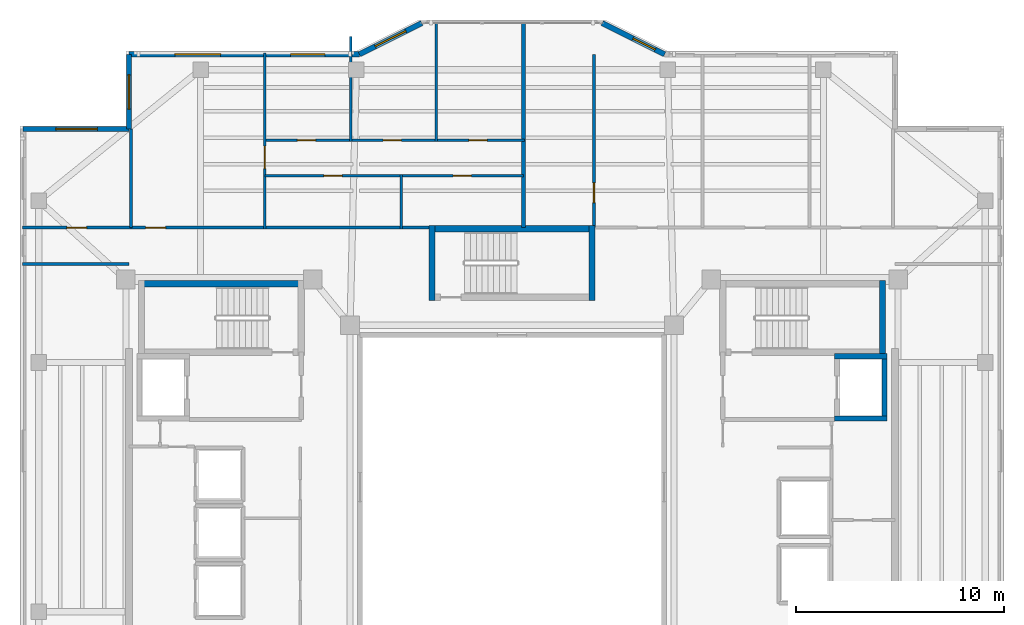
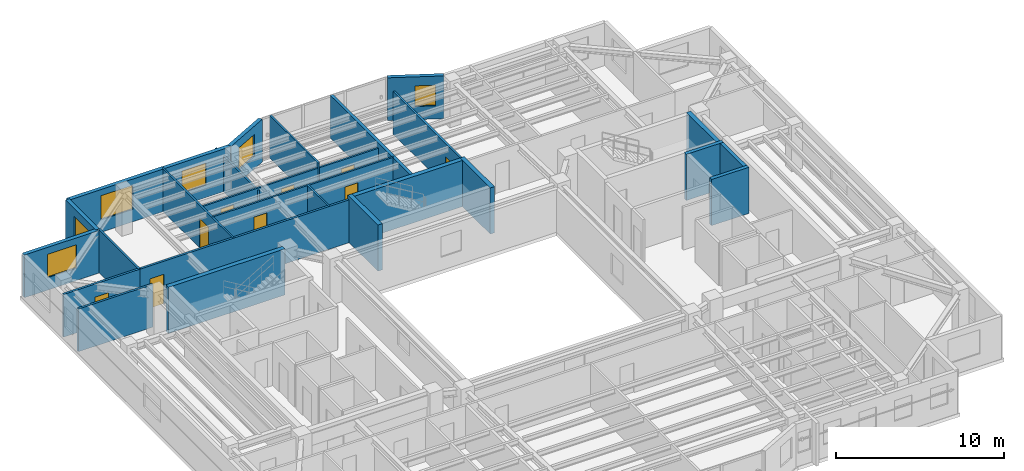
# One storey, part 9 of 13: 26 walls, 9 doors, 6 windows, 15 openings.
"""IFC4 building model written with IfcOpenShell, lengths in metres."""

from ifc_helpers import new_model, si_unit, direction, frame, frame_2d, origin, place, context, subcontext, project, spatial, rectangle, extrude, material, layer, layer_set, type_object, element, fill, save


model = new_model("IFC4")

# Units and contexts
model_context = context("Model", 3, precision=1e-05, world=origin(), true_north=direction((0.0, 1.0)))
body_context = subcontext(model_context, "Body", "Model", "MODEL_VIEW")
ifc_project = project(units=[si_unit("LENGTHUNIT", "METRE"), si_unit("AREAUNIT", "SQUARE_METRE"), si_unit("VOLUMEUNIT", "CUBIC_METRE"), si_unit("PLANEANGLEUNIT", "RADIAN"), si_unit("MASSUNIT", "GRAM", prefix="KILO")], contexts=[model_context])

# Site, building, storey
site_placement = place(None, origin())
site = spatial("IfcSite", under=ifc_project, at=site_placement, CompositionType="ELEMENT")
building_placement = place(site_placement, origin())
building = spatial("IfcBuilding", under=site, at=building_placement, Name="Tarnavaz Court Tower", CompositionType="ELEMENT")
storey_placement = place(building_placement, frame((0.0, 0.0, 193.60009765625)))
storey = spatial("IfcBuildingStorey", under=building, at=storey_placement, Name="L52", CompositionType="ELEMENT", Elevation=193.60009765625)

# Walls
ifc_material_1 = material(Name="Concrete C50/60", Category="concrete")
ifc_layer_1 = layer(ifc_material_1, 0.25)
ifc_layer_set_1 = layer_set([ifc_layer_1], Name="Concrete C50/60")
wall_type_1 = type_object("IfcWallType", Name="WL-CORE-250-C50", PredefinedType="SHEAR", material=ifc_layer_set_1)
wall_1_placement = place(storey_placement, frame((17.949951171875, 3.175048828125, 0.0), z_axis=(0.0, 0.0, 1.0), x_axis=(0.0, 1.0, 0.0)))
element("IfcWall", 1, at=wall_1_placement, inside=storey, type_object=wall_type_1, Name="L52 Lift FL-E1 Shaft Wall 034", PredefinedType="SHEAR", context=body_context, shape_type="SweptSolid", body=[
    extrude(rectangle(XDim=3.25, YDim=0.25, at=frame_2d((1.625, 0.0))), origin(), (0.0, 0.0, 1.0), 3.349853515625),
])
for number, where, z_axis, x_axis, name in (
    (2, (15.52490234375, 3.300048828125, 0.0), (0.0, 0.0, 1.0), (1.0, 0.0, 0.0), "L52 Lift FL-E1 Shaft Wall 035"),
    (3, (15.52490234375, 6.300048828125, 0.0), (0.0, 0.0, 1.0), (1.0, 0.0, 0.0), "L52 Lift FL-E1 Shaft Wall 036"),
):
    element("IfcWall", number, at=place(storey_placement, frame(where, z_axis=z_axis, x_axis=x_axis)), inside=storey, type_object=wall_type_1, Name=name, PredefinedType="SHEAR", context=body_context, shape_type="SweptSolid", body=[
        extrude(rectangle(XDim=2.550048828125, YDim=0.25, at=frame_2d((1.27490234375, 0.0))), origin(), (0.0, 0.0, 1.0), 3.349853515625),
    ])
ifc_layer_2 = layer(ifc_material_1, 0.300048828125)
ifc_layer_set_2 = layer_set([ifc_layer_2], Name="Concrete C50/60")
wall_type_2 = type_object("IfcWallType", Name="WL-CORE-300-C50", PredefinedType="SHEAR", material=ifc_layer_set_2)
wall_2_placement = place(storey_placement, frame((-18.0, 9.7900390625, 0.0), z_axis=(0.0, 0.0, 1.0), x_axis=(1.0, 0.0, 0.0)))
element("IfcWall", 4, at=wall_2_placement, inside=storey, type_object=wall_type_2, Name="L52 West Stair Core Wall 001", PredefinedType="SHEAR", context=body_context, shape_type="SweptSolid", body=[
    extrude(rectangle(XDim=8.0, YDim=0.300048828125, at=frame_2d((4.0, 0.0))), origin(), (0.0, 0.0, 1.0), 3.349853515625),
])
wall_3_placement = place(storey_placement, frame((17.85009765625, 6.35009765625, 0.0), z_axis=(0.0, 0.0, 1.0), x_axis=(0.0, 1.0, 0.0)))
element("IfcWall", 5, at=wall_3_placement, inside=storey, type_object=wall_type_2, Name="L52 East Stair Core Wall 008", PredefinedType="SHEAR", context=body_context, shape_type="SweptSolid", body=[
    extrude(rectangle(XDim=3.58984375, YDim=0.300048828125, at=frame_2d((1.794921875, 0.0))), origin(), (0.0, 0.0, 1.0), 3.349853515625),
])
wall_4_placement = place(storey_placement, frame((-4.0, 12.43994140625, 0.0), z_axis=(0.0, 0.0, 1.0), x_axis=(1.0, 0.0, 0.0)))
element("IfcWall", 6, at=wall_4_placement, inside=storey, type_object=wall_type_2, Name="L52 North Stair Core Wall 009", PredefinedType="SHEAR", context=body_context, shape_type="SweptSolid", body=[
    extrude(rectangle(XDim=8.0, YDim=0.300048828125, at=frame_2d((4.0, 0.0))), origin(), (0.0, 0.0, 1.0), 3.349853515625),
])
for number, where, z_axis, x_axis, name in (
    (7, (-3.85009765625, 9.0, 0.0), (0.0, 0.0, 1.0), (0.0, 1.0, 0.0), "L52 North Stair Core Wall 011"),
    (8, (3.85009765625, 9.0, 0.0), (0.0, 0.0, 1.0), (0.0, 1.0, 0.0), "L52 North Stair Core Wall 012"),
):
    element("IfcWall", number, at=place(storey_placement, frame(where, z_axis=z_axis, x_axis=x_axis)), inside=storey, type_object=wall_type_2, Name=name, PredefinedType="SHEAR", context=body_context, shape_type="SweptSolid", body=[
        extrude(rectangle(XDim=3.590087890625, YDim=0.300048828125, at=frame_2d((1.794921875, 0.0))), origin(), (0.0, 0.0, 1.0), 3.349853515625),
    ])

# Wall, opening, window
ifc_material_2 = material(Name="Precast Concrete C40/50", Category="concrete")
ifc_layer_3 = layer(ifc_material_2, 0.260009765625)
ifc_layer_set_3 = layer_set([ifc_layer_3], Name="Precast Concrete C40/50")
wall_type_3 = type_object("IfcWallType", Name="WL-EXT-260", PredefinedType="SOLIDWALL", material=ifc_layer_set_3)
wall_5_placement = place(storey_placement, frame((-23.550048828125, 17.25, 0.0), z_axis=(0.0, 0.0, 1.0), x_axis=(1.0, 0.0, 0.0)))
wall_5 = element("IfcWall", 9, at=wall_5_placement, inside=storey, type_object=wall_type_3, Name="L52 Exterior Terracotta Facade Wall 03", PredefinedType="SOLIDWALL", context=body_context, shape_type="SweptSolid", body=[
    extrude(rectangle(XDim=5.10009765625, YDim=0.260009765625, at=frame_2d((2.550048828125, 0.0))), origin(), (0.0, 0.0, 1.0), 3.099853515625),
])
opening_1_placement = place(wall_5_placement, frame((1.574951171875, 0.0, 0.89990234375)))
opening_1 = element("IfcOpeningElement", 10, at=opening_1_placement, cuts=wall_5, Name="Opening W08", PredefinedType="OPENING", context=body_context, shape_type="SweptSolid", body=[
    extrude(rectangle(XDim=2.0, YDim=1.699951171875, at=frame_2d((1.0, 0.85009765625))), frame((0.0, 0.139892578125, 0.0), z_axis=(0.0, -1.0, 0.0), x_axis=(1.0, 0.0, 0.0)), (0.0, 0.0, 1.0), 0.280029296875),
])
ifc_material_3 = material(Name="Double-Glazed Solar Low-E Glass", Category="glass")
window_type_1 = type_object("IfcWindowType", Name="WN-APT-2000", PartitioningType="DOUBLE_PANEL_VERTICAL", PredefinedType="WINDOW", material=ifc_material_3)
window_1_placement = place(opening_1_placement, origin())
window_1 = element("IfcWindow", 11, at=window_1_placement, inside=storey, type_object=window_type_1, Name="L52 North-West Corner Sunroom Study Window", OverallHeight=1.699951171875, OverallWidth=2.0, PartitioningType="SINGLE_PANEL", PredefinedType="WINDOW", context=body_context, shape_type="SweptSolid", body=[
    extrude(rectangle(XDim=2.0, YDim=1.699951171875, at=frame_2d((1.0, 0.85009765625))), frame((0.0, 0.030029296875, 0.0), z_axis=(0.0, -1.0, 0.0), x_axis=(1.0, 0.0, 0.0)), (0.0, 0.0, 1.0), 0.06005859375),
])
fill(opening_1, window_1)

wall_6_placement = place(storey_placement, frame((-18.449951171875, 17.25, 0.0), z_axis=(0.0, 0.0, 1.0), x_axis=(0.0, 1.0, 0.0)))
wall_6 = element("IfcWall", 12, at=wall_6_placement, inside=storey, type_object=wall_type_3, Name="L52 Exterior Terracotta Facade Wall 04", PredefinedType="SOLIDWALL", context=body_context, shape_type="SweptSolid", body=[
    extrude(rectangle(XDim=3.60009765625, YDim=0.260009765625, at=frame_2d((1.800048828125, 0.0))), origin(), (0.0, 0.0, 1.0), 3.099853515625),
])
opening_2_placement = place(wall_6_placement, frame((0.95751953125, 0.0, 0.89990234375)))
opening_2 = element("IfcOpeningElement", 13, at=opening_2_placement, cuts=wall_6, Name="Opening W02", PredefinedType="OPENING", context=body_context, shape_type="SweptSolid", body=[
    extrude(rectangle(XDim=1.64990234375, YDim=1.60009765625, at=frame_2d((0.824951171875, 0.800048828125))), frame((0.0, 0.139892578125, 0.0), z_axis=(0.0, -1.0, 0.0), x_axis=(1.0, 0.0, 0.0)), (0.0, 0.0, 1.0), 0.280029296875),
])
window_type_2 = type_object("IfcWindowType", Name="WN-APT-1650", PartitioningType="DOUBLE_PANEL_VERTICAL", PredefinedType="WINDOW", material=ifc_material_3)
window_2_placement = place(opening_2_placement, origin())
window_2 = element("IfcWindow", 14, at=window_2_placement, inside=storey, type_object=window_type_2, Name="L52 Flat 01 Living and Dining Room Window", OverallHeight=1.60009765625, OverallWidth=1.64990234375, PartitioningType="SINGLE_PANEL", PredefinedType="WINDOW", context=body_context, shape_type="SweptSolid", body=[
    extrude(rectangle(XDim=1.64990234375, YDim=1.60009765625, at=frame_2d((0.824951171875, 0.800048828125))), frame((0.0, 0.030029296875, 0.0), z_axis=(0.0, -1.0, 0.0), x_axis=(1.0, 0.0, 0.0)), (0.0, 0.0, 1.0), 0.06005859375),
])
fill(opening_2, window_2)

# Wall, openings, windows
wall_7_placement = place(storey_placement, frame((-18.449951171875, 20.85009765625, 0.0), z_axis=(0.0, 0.0, 1.0), x_axis=(1.0, 0.0, 0.0)))
wall_7 = element("IfcWall", 15, at=wall_7_placement, inside=storey, type_object=wall_type_3, Name="L52 Exterior Terracotta Facade Wall 05", PredefinedType="SOLIDWALL", context=body_context, shape_type="SweptSolid", body=[
    extrude(rectangle(XDim=11.099853515625, YDim=0.260009765625, at=frame_2d((5.5498046875, 0.0))), origin(), (0.0, 0.0, 1.0), 3.099853515625),
])
opening_3_placement = place(wall_7_placement, frame((2.21484375, 0.0, 0.89990234375)))
opening_3 = element("IfcOpeningElement", 16, at=opening_3_placement, cuts=wall_7, Name="Opening W07", PredefinedType="OPENING", context=body_context, shape_type="SweptSolid", body=[
    extrude(rectangle(XDim=2.199951171875, YDim=1.75, at=frame_2d((1.10009765625, 0.875))), frame((0.0, 0.139892578125, 0.0), z_axis=(0.0, -1.0, 0.0), x_axis=(1.0, 0.0, 0.0)), (0.0, 0.0, 1.0), 0.280029296875),
])
opening_4_placement = place(wall_7_placement, frame((7.788818359375, 0.0, 0.89990234375)))
opening_4 = element("IfcOpeningElement", 17, at=opening_4_placement, cuts=wall_7, Name="Opening W02", PredefinedType="OPENING", context=body_context, shape_type="SweptSolid", body=[
    extrude(rectangle(XDim=1.64990234375, YDim=1.60009765625, at=frame_2d((0.824951171875, 0.800048828125))), frame((0.0, 0.139892578125, 0.0), z_axis=(0.0, -1.0, 0.0), x_axis=(1.0, 0.0, 0.0)), (0.0, 0.0, 1.0), 0.280029296875),
])
window_3_placement = place(opening_4_placement, origin())
window_3 = element("IfcWindow", 18, at=window_3_placement, inside=storey, type_object=window_type_2, Name="L52 Flat 01 Principal Bedroom Window", OverallHeight=1.60009765625, OverallWidth=1.64990234375, PartitioningType="SINGLE_PANEL", PredefinedType="WINDOW", context=body_context, shape_type="SweptSolid", body=[
    extrude(rectangle(XDim=1.64990234375, YDim=1.60009765625, at=frame_2d((0.824951171875, 0.800048828125))), frame((0.0, 0.030029296875, 0.0), z_axis=(0.0, -1.0, 0.0), x_axis=(1.0, 0.0, 0.0)), (0.0, 0.0, 1.0), 0.06005859375),
])
fill(opening_4, window_3)
window_type_3 = type_object("IfcWindowType", Name="WN-APT-2200", PartitioningType="TRIPLE_PANEL_VERTICAL", PredefinedType="WINDOW", material=ifc_material_3)
window_4_placement = place(opening_3_placement, origin())
window_4 = element("IfcWindow", 19, at=window_4_placement, inside=storey, type_object=window_type_3, Name="L52 Flat 01 Living and Dining Room Window", OverallHeight=1.75, OverallWidth=2.199951171875, PartitioningType="SINGLE_PANEL", PredefinedType="WINDOW", context=body_context, shape_type="SweptSolid", body=[
    extrude(rectangle(XDim=2.199951171875, YDim=1.75, at=frame_2d((1.10009765625, 0.875))), frame((0.0, 0.030029296875, 0.0), z_axis=(0.0, -1.0, 0.0), x_axis=(1.0, 0.0, 0.0)), (0.0, 0.0, 1.0), 0.06005859375),
])
fill(opening_3, window_4)

# Wall, opening, window
wall_8_placement = place(storey_placement, frame((-7.35009765625, 20.85009765625, 0.0), z_axis=(0.0, 0.0, 1.0), x_axis=(0.894427191, 0.4472135955, 0.0)))
wall_8 = element("IfcWall", 20, at=wall_8_placement, inside=storey, type_object=wall_type_3, Name="L52 Exterior Terracotta Facade Wall 06", PredefinedType="SOLIDWALL", context=body_context, shape_type="SweptSolid", body=[
    extrude(rectangle(XDim=3.35400390625, YDim=0.260009765625, at=frame_2d((1.677001953125, 0.0))), origin(), (0.0, 0.0, 1.0), 3.099853515625),
])
opening_5_placement = place(wall_8_placement, frame((0.85205078125, 0.0, 0.89990234375)))
opening_5 = element("IfcOpeningElement", 21, at=opening_5_placement, cuts=wall_8, Name="Opening W02", PredefinedType="OPENING", context=body_context, shape_type="SweptSolid", body=[
    extrude(rectangle(XDim=1.64990234375, YDim=1.60009765625, at=frame_2d((0.824951171875, 0.800048828125))), frame((0.0, 0.139892578125, 0.0), z_axis=(0.0, -1.0, 0.0), x_axis=(1.0, 0.0, 0.0)), (0.0, 0.0, 1.0), 0.280029296875),
])
window_5_placement = place(opening_5_placement, origin())
window_5 = element("IfcWindow", 22, at=window_5_placement, inside=storey, type_object=window_type_2, Name="L52 Flat 01 Bedroom 2 Window", OverallHeight=1.60009765625, OverallWidth=1.64990234375, PartitioningType="SINGLE_PANEL", PredefinedType="WINDOW", context=body_context, shape_type="SweptSolid", body=[
    extrude(rectangle(XDim=1.64990234375, YDim=1.60009765625, at=frame_2d((0.824951171875, 0.800048828125))), frame((0.0, 0.030029296875, 0.0), z_axis=(0.0, -1.0, 0.0), x_axis=(1.0, 0.0, 0.0)), (0.0, 0.0, 1.0), 0.06005859375),
])
fill(opening_5, window_5)

wall_9_placement = place(storey_placement, frame((4.35009765625, 22.35009765625, 0.0), z_axis=(0.0, 0.0, 1.0), x_axis=(0.894427191, -0.4472135955, 0.0)))
wall_9 = element("IfcWall", 23, at=wall_9_placement, inside=storey, type_object=wall_type_3, Name="L52 Exterior Terracotta Facade Wall 08", PredefinedType="SOLIDWALL", context=body_context, shape_type="SweptSolid", body=[
    extrude(rectangle(XDim=3.35400390625, YDim=0.260009765625, at=frame_2d((1.677001953125, 0.0))), origin(), (0.0, 0.0, 1.0), 3.099853515625),
])
opening_6_placement = place(wall_9_placement, frame((1.65283203125, 0.0, 0.949951171875)))
opening_6 = element("IfcOpeningElement", 24, at=opening_6_placement, cuts=wall_9, Name="Opening W05", PredefinedType="OPENING", context=body_context, shape_type="SweptSolid", body=[
    extrude(rectangle(XDim=1.199951171875, YDim=1.5, at=frame_2d((0.60009765625, 0.75))), frame((0.0, 0.139892578125, 0.0), z_axis=(0.0, -1.0, 0.0), x_axis=(1.0, 0.0, 0.0)), (0.0, 0.0, 1.0), 0.280029296875),
])
window_type_4 = type_object("IfcWindowType", Name="WN-APT-1200", PartitioningType="SINGLE_PANEL", PredefinedType="WINDOW", material=ifc_material_3)
window_6_placement = place(opening_6_placement, origin())
window_6 = element("IfcWindow", 25, at=window_6_placement, inside=storey, type_object=window_type_4, Name="L52 Resident Fitness and Yoga Studio Window", OverallHeight=1.5, OverallWidth=1.199951171875, PartitioningType="SINGLE_PANEL", PredefinedType="WINDOW", context=body_context, shape_type="SweptSolid", body=[
    extrude(rectangle(XDim=1.199951171875, YDim=1.5, at=frame_2d((0.60009765625, 0.75))), frame((0.0, 0.030029296875, 0.0), z_axis=(0.0, -1.0, 0.0), x_axis=(1.0, 0.0, 0.0)), (0.0, 0.0, 1.0), 0.06005859375),
])
fill(opening_6, window_6)

# Wall, opening, door
ifc_material_4 = material(Name="Gypsum Fire-Board on Acoustic Metal Stud", Category="masonry")
ifc_layer_4 = layer(ifc_material_4, 0.14990234375)
ifc_layer_set_4 = layer_set([ifc_layer_4], Name="Gypsum Fire-Board on Acoustic Metal Stud")
wall_type_4 = type_object("IfcWallType", Name="WL-FIRE-150", PredefinedType="PARTITIONING", material=ifc_layer_set_4)
wall_10_placement = place(storey_placement, frame((-18.35009765625, 12.5, 0.0), z_axis=(0.0, 0.0, 1.0), x_axis=(1.0, 0.0, 0.0)))
wall_10 = element("IfcWall", 26, at=wall_10_placement, inside=storey, type_object=wall_type_4, Name="L52 NW Wing Corridor Wall 057", PredefinedType="PARTITIONING", context=body_context, shape_type="SweptSolid", body=[
    extrude(rectangle(XDim=14.5, YDim=0.14990234375, at=frame_2d((7.25, 0.0))), origin(), (0.0, 0.0, 1.0), 3.099853515625),
])
opening_7_placement = place(wall_10_placement, frame((0.699951171875, 0.0, 0.0)))
opening_7 = element("IfcOpeningElement", 27, at=opening_7_placement, cuts=wall_10, Name="Opening D06", PredefinedType="OPENING", context=body_context, shape_type="SweptSolid", body=[
    extrude(rectangle(XDim=0.9599609375, YDim=2.14990234375, at=frame_2d((0.47998046875, 1.074951171875))), frame((0.0, 0.0849609375, 0.0), z_axis=(0.0, -1.0, 0.0), x_axis=(1.0, 0.0, 0.0)), (0.0, 0.0, 1.0), 0.169921875),
])
ifc_material_5 = material(Name="Fire-Rated Hardwood Timber Core", Category="wood")
door_type_1 = type_object("IfcDoorType", Name="DR-FD60-950", OperationType="NOTDEFINED", PredefinedType="DOOR", material=ifc_material_5)
door_1_placement = place(opening_7_placement, origin())
door_1 = element("IfcDoor", 28, at=door_1_placement, inside=storey, type_object=door_type_1, Name="L52 Flat 01 Entrance Door", OperationType="SINGLE_SWING_LEFT", OverallHeight=2.14990234375, OverallWidth=0.9599609375, PredefinedType="DOOR", context=body_context, shape_type="SweptSolid", body=[
    extrude(rectangle(XDim=0.9599609375, YDim=2.14990234375, at=frame_2d((0.47998046875, 1.074951171875))), frame((0.0, 0.02490234375, 0.0), z_axis=(0.0, -1.0, 0.0), x_axis=(1.0, 0.0, 0.0)), (0.0, 0.0, 1.0), 0.050048828125),
])
fill(opening_7, door_1)

# Wall
wall_11_placement = place(storey_placement, frame((-23.580078125, 10.75, 0.0), z_axis=(0.0, 0.0, 1.0), x_axis=(1.0, 0.0, 0.0)))
element("IfcWall", 29, at=wall_11_placement, inside=storey, type_object=wall_type_4, Name="L52 Interior Partition 086", PredefinedType="PARTITIONING", context=body_context, shape_type="SweptSolid", body=[
    extrude(rectangle(XDim=5.130126953125, YDim=0.14990234375, at=frame_2d((2.56494140625, 0.0))), origin(), (0.0, 0.0, 1.0), 3.099853515625),
])

# Wall, opening, door
wall_12_placement = place(storey_placement, frame((-23.580078125, 12.5, 0.0), z_axis=(0.0, 0.0, 1.0), x_axis=(1.0, 0.0, 0.0)))
wall_12 = element("IfcWall", 30, at=wall_12_placement, inside=storey, type_object=wall_type_4, Name="L52 Interior Partition 093", PredefinedType="PARTITIONING", context=body_context, shape_type="SweptSolid", body=[
    extrude(rectangle(XDim=5.22998046875, YDim=0.14990234375, at=frame_2d((2.614990234375, 0.0))), origin(), (0.0, 0.0, 1.0), 3.099853515625),
])
opening_8_placement = place(wall_12_placement, frame((2.139892578125, 0.0, 0.0)))
opening_8 = element("IfcOpeningElement", 31, at=opening_8_placement, cuts=wall_12, Name="Opening D13", PredefinedType="OPENING", context=body_context, shape_type="SweptSolid", body=[
    extrude(rectangle(XDim=0.949951171875, YDim=2.14990234375, at=frame_2d((0.47509765625, 1.074951171875))), frame((0.0, 0.0849609375, 0.0), z_axis=(0.0, -1.0, 0.0), x_axis=(1.0, 0.0, 0.0)), (0.0, 0.0, 1.0), 0.169921875),
])
ifc_material_6 = material(Name="Engineered Oak Timber", Category="wood")
door_type_2 = type_object("IfcDoorType", Name="DR-INT-950", OperationType="NOTDEFINED", PredefinedType="DOOR", material=ifc_material_6)
door_2_placement = place(opening_8_placement, origin())
door_2 = element("IfcDoor", 32, at=door_2_placement, inside=storey, type_object=door_type_2, Name="L52 NW Sunroom Door", OperationType="SINGLE_SWING_LEFT", OverallHeight=2.14990234375, OverallWidth=0.949951171875, PredefinedType="DOOR", context=body_context, shape_type="SweptSolid", body=[
    extrude(rectangle(XDim=0.949951171875, YDim=2.14990234375, at=frame_2d((0.47509765625, 1.074951171875))), frame((0.0, 0.02490234375, 0.0), z_axis=(0.0, -1.0, 0.0), x_axis=(1.0, 0.0, 0.0)), (0.0, 0.0, 1.0), 0.050048828125),
])
fill(opening_8, door_2)

# Wall
ifc_material_7 = material(Name="Autoclaved Aerated Concrete Blockwork", Category="masonry")
ifc_layer_5 = layer(ifc_material_7, 0.199951171875)
ifc_layer_set_5 = layer_set([ifc_layer_5], Name="Autoclaved Aerated Concrete Blockwork")
wall_type_5 = type_object("IfcWallType", Name="WL-FIRE-200", PredefinedType="SOLIDWALL", material=ifc_layer_set_5)
wall_13_placement = place(storey_placement, frame((0.550048828125, 12.5, 0.0), z_axis=(0.0, 0.0, 1.0), x_axis=(0.0, 1.0, 0.0)))
element("IfcWall", 33, at=wall_13_placement, inside=storey, type_object=wall_type_5, Name="L52 North Center Party Wall 061", PredefinedType="SOLIDWALL", context=body_context, shape_type="SweptSolid", body=[
    extrude(rectangle(XDim=9.8798828125, YDim=0.199951171875, at=frame_2d((4.93994140625, 0.0))), origin(), (0.0, 0.0, 1.0), 3.099853515625),
])

# Wall, opening, door
ifc_material_8 = material(Name="Moisture-Resistant Gypsum Board Partition", Category="masonry")
ifc_layer_6 = layer(ifc_material_8, 0.1201171875)
ifc_layer_set_6 = layer_set([ifc_layer_6], Name="Moisture-Resistant Gypsum Board Partition")
wall_type_6 = type_object("IfcWallType", Name="WL-PART-120", PredefinedType="PARTITIONING", material=ifc_layer_set_6)
wall_14_placement = place(storey_placement, frame((-11.905029296875, 12.43994140625, 0.0), z_axis=(0.0, 0.0, 1.0), x_axis=(0.0, 1.0, 0.0)))
wall_14 = element("IfcWall", 34, at=wall_14_placement, inside=storey, type_object=wall_type_6, Name="L52 Interior Partition 062", PredefinedType="PARTITIONING", context=body_context, shape_type="SweptSolid", body=[
    extrude(rectangle(XDim=8.4599609375, YDim=0.1201171875, at=frame_2d((4.22998046875, 0.0))), origin(), (0.0, 0.0, 1.0), 3.099853515625),
])
opening_9_placement = place(wall_14_placement, frame((2.905029296875, 0.0, 0.0)))
opening_9 = element("IfcOpeningElement", 35, at=opening_9_placement, cuts=wall_14, Name="Opening D12", PredefinedType="OPENING", context=body_context, shape_type="SweptSolid", body=[
    extrude(rectangle(XDim=1.080078125, YDim=2.14990234375, at=frame_2d((0.5400390625, 1.074951171875))), frame((0.0, 0.070068359375, 0.0), z_axis=(0.0, -1.0, 0.0), x_axis=(1.0, 0.0, 0.0)), (0.0, 0.0, 1.0), 0.14013671875),
])
door_type_3 = type_object("IfcDoorType", Name="DR-INT-1100", OperationType="NOTDEFINED", PredefinedType="DOOR", material=ifc_material_6)
door_3_placement = place(opening_9_placement, origin())
door_3 = element("IfcDoor", 36, at=door_3_placement, inside=storey, type_object=door_type_3, Name="L52 Flat 01 Foyer Door", OperationType="SINGLE_SWING_RIGHT", OverallHeight=2.14990234375, OverallWidth=1.080078125, PredefinedType="DOOR", context=body_context, shape_type="SweptSolid", body=[
    extrude(rectangle(XDim=1.080078125, YDim=2.14990234375, at=frame_2d((0.5400390625, 1.074951171875))), frame((0.0, 0.02490234375, 0.0), z_axis=(0.0, -1.0, 0.0), x_axis=(1.0, 0.0, 0.0)), (0.0, 0.0, 1.0), 0.050048828125),
])
fill(opening_9, door_3)

wall_15_placement = place(storey_placement, frame((-11.905029296875, 15.0, 0.0), z_axis=(0.0, 0.0, 1.0), x_axis=(1.0, 0.0, 0.0)))
wall_15 = element("IfcWall", 37, at=wall_15_placement, inside=storey, type_object=wall_type_6, Name="L52 Interior Partition 063", PredefinedType="PARTITIONING", context=body_context, shape_type="SweptSolid", body=[
    extrude(rectangle(XDim=6.569091796875, YDim=0.1201171875, at=frame_2d((3.28466796875, 0.0))), origin(), (0.0, 0.0, 1.0), 3.099853515625),
])
opening_10_placement = place(wall_15_placement, frame((2.843994140625, 0.0, 0.0)))
opening_10 = element("IfcOpeningElement", 38, at=opening_10_placement, cuts=wall_15, Name="Opening D14", PredefinedType="OPENING", context=body_context, shape_type="SweptSolid", body=[
    extrude(rectangle(XDim=0.8798828125, YDim=2.10009765625, at=frame_2d((0.43994140625, 1.050048828125))), frame((0.0, 0.070068359375, 0.0), z_axis=(0.0, -1.0, 0.0), x_axis=(1.0, 0.0, 0.0)), (0.0, 0.0, 1.0), 0.14013671875),
])
door_type_4 = type_object("IfcDoorType", Name="DR-INT-900", OperationType="NOTDEFINED", PredefinedType="DOOR", material=ifc_material_6)
door_4_placement = place(opening_10_placement, origin())
door_4 = element("IfcDoor", 39, at=door_4_placement, inside=storey, type_object=door_type_4, Name="L52 Flat 01 Kitchen Door", OperationType="SINGLE_SWING_LEFT", OverallHeight=2.10009765625, OverallWidth=0.8798828125, PredefinedType="DOOR", context=body_context, shape_type="SweptSolid", body=[
    extrude(rectangle(XDim=0.8798828125, YDim=2.10009765625, at=frame_2d((0.43994140625, 1.050048828125))), frame((0.0, 0.02490234375, 0.0), z_axis=(0.0, -1.0, 0.0), x_axis=(1.0, 0.0, 0.0)), (0.0, 0.0, 1.0), 0.050048828125),
])
fill(opening_10, door_4)

wall_16_placement = place(storey_placement, frame((-5.3359375, 15.0, 0.0), z_axis=(0.0, 0.0, 1.0), x_axis=(1.0, 0.0, 0.0)))
wall_16 = element("IfcWall", 40, at=wall_16_placement, inside=storey, type_object=wall_type_6, Name="L52 Interior Partition 064", PredefinedType="PARTITIONING", context=body_context, shape_type="SweptSolid", body=[
    extrude(rectangle(XDim=5.885986328125, YDim=0.1201171875, at=frame_2d((2.94287109375, 0.0))), origin(), (0.0, 0.0, 1.0), 3.099853515625),
])
opening_11_placement = place(wall_16_placement, frame((2.5029296875, 0.0, 0.0)))
opening_11 = element("IfcOpeningElement", 41, at=opening_11_placement, cuts=wall_16, Name="Opening D14", PredefinedType="OPENING", context=body_context, shape_type="SweptSolid", body=[
    extrude(rectangle(XDim=0.8798828125, YDim=2.10009765625, at=frame_2d((0.43994140625, 1.050048828125))), frame((0.0, 0.070068359375, 0.0), z_axis=(0.0, -1.0, 0.0), x_axis=(1.0, 0.0, 0.0)), (0.0, 0.0, 1.0), 0.14013671875),
])
door_5_placement = place(opening_11_placement, origin())
door_5 = element("IfcDoor", 42, at=door_5_placement, inside=storey, type_object=door_type_4, Name="L52 Flat 01 Bathroom Door", OperationType="SINGLE_SWING_RIGHT", OverallHeight=2.10009765625, OverallWidth=0.8798828125, PredefinedType="DOOR", context=body_context, shape_type="SweptSolid", body=[
    extrude(rectangle(XDim=0.8798828125, YDim=2.10009765625, at=frame_2d((0.43994140625, 1.050048828125))), frame((0.0, 0.02490234375, 0.0), z_axis=(0.0, -1.0, 0.0), x_axis=(1.0, 0.0, 0.0)), (0.0, 0.0, 1.0), 0.050048828125),
])
fill(opening_11, door_5)

# Wall, openings, doors
wall_17_placement = place(storey_placement, frame((-11.965087890625, 16.7099609375, 0.0), z_axis=(0.0, 0.0, 1.0), x_axis=(1.0, 0.0, 0.0)))
wall_17 = element("IfcWall", 43, at=wall_17_placement, inside=storey, type_object=wall_type_6, Name="L52 Interior Partition 065", PredefinedType="PARTITIONING", context=body_context, shape_type="SweptSolid", body=[
    extrude(rectangle(XDim=12.5751953125, YDim=0.1201171875, at=frame_2d((6.28759765625, 0.0))), origin(), (0.0, 0.0, 1.0), 2.724853515625),
])
opening_12_placement = place(wall_17_placement, frame((1.6259765625, 0.0, 0.0)))
opening_12 = element("IfcOpeningElement", 44, at=opening_12_placement, cuts=wall_17, Name="Opening D14", PredefinedType="OPENING", context=body_context, shape_type="SweptSolid", body=[
    extrude(rectangle(XDim=0.8798828125, YDim=2.10009765625, at=frame_2d((0.43994140625, 1.050048828125))), frame((0.0, 0.070068359375, 0.0), z_axis=(0.0, -1.0, 0.0), x_axis=(1.0, 0.0, 0.0)), (0.0, 0.0, 1.0), 0.14013671875),
])
opening_13_placement = place(wall_17_placement, frame((5.758056640625, 0.0, 0.0)))
opening_13 = element("IfcOpeningElement", 45, at=opening_13_placement, cuts=wall_17, Name="Opening D14", PredefinedType="OPENING", context=body_context, shape_type="SweptSolid", body=[
    extrude(rectangle(XDim=0.8798828125, YDim=2.10009765625, at=frame_2d((0.43994140625, 1.050048828125))), frame((0.0, 0.070068359375, 0.0), z_axis=(0.0, -1.0, 0.0), x_axis=(1.0, 0.0, 0.0)), (0.0, 0.0, 1.0), 0.14013671875),
])
opening_14_placement = place(wall_17_placement, frame((9.888916015625, 0.0, 0.0)))
opening_14 = element("IfcOpeningElement", 46, at=opening_14_placement, cuts=wall_17, Name="Opening D14", PredefinedType="OPENING", context=body_context, shape_type="SweptSolid", body=[
    extrude(rectangle(XDim=0.8798828125, YDim=2.10009765625, at=frame_2d((0.43994140625, 1.050048828125))), frame((0.0, 0.070068359375, 0.0), z_axis=(0.0, -1.0, 0.0), x_axis=(1.0, 0.0, 0.0)), (0.0, 0.0, 1.0), 0.14013671875),
])
door_6_placement = place(opening_12_placement, origin())
door_6 = element("IfcDoor", 47, at=door_6_placement, inside=storey, type_object=door_type_4, Name="L52 Flat 01 Bedroom 1 Door", OperationType="SINGLE_SWING_LEFT", OverallHeight=2.10009765625, OverallWidth=0.8798828125, PredefinedType="DOOR", context=body_context, shape_type="SweptSolid", body=[
    extrude(rectangle(XDim=0.8798828125, YDim=2.10009765625, at=frame_2d((0.43994140625, 1.050048828125))), frame((0.0, 0.02490234375, 0.0), z_axis=(0.0, -1.0, 0.0), x_axis=(1.0, 0.0, 0.0)), (0.0, 0.0, 1.0), 0.050048828125),
])
fill(opening_12, door_6)
door_7_placement = place(opening_13_placement, origin())
door_7 = element("IfcDoor", 48, at=door_7_placement, inside=storey, type_object=door_type_4, Name="L52 Flat 01 Bedroom 2 Door", OperationType="SINGLE_SWING_RIGHT", OverallHeight=2.10009765625, OverallWidth=0.8798828125, PredefinedType="DOOR", context=body_context, shape_type="SweptSolid", body=[
    extrude(rectangle(XDim=0.8798828125, YDim=2.10009765625, at=frame_2d((0.43994140625, 1.050048828125))), frame((0.0, 0.02490234375, 0.0), z_axis=(0.0, -1.0, 0.0), x_axis=(1.0, 0.0, 0.0)), (0.0, 0.0, 1.0), 0.050048828125),
])
fill(opening_13, door_7)
door_8_placement = place(opening_14_placement, origin())
door_8 = element("IfcDoor", 49, at=door_8_placement, inside=storey, type_object=door_type_4, Name="L52 Flat 01 Bedroom 3 Door", OperationType="SINGLE_SWING_LEFT", OverallHeight=2.10009765625, OverallWidth=0.8798828125, PredefinedType="DOOR", context=body_context, shape_type="SweptSolid", body=[
    extrude(rectangle(XDim=0.8798828125, YDim=2.10009765625, at=frame_2d((0.43994140625, 1.050048828125))), frame((0.0, 0.02490234375, 0.0), z_axis=(0.0, -1.0, 0.0), x_axis=(1.0, 0.0, 0.0)), (0.0, 0.0, 1.0), 0.050048828125),
])
fill(opening_14, door_8)

# Walls
wall_18_placement = place(storey_placement, frame((-5.3359375, 12.43994140625, 0.0), z_axis=(0.0, 0.0, 1.0), x_axis=(0.0, 1.0, 0.0)))
element("IfcWall", 50, at=wall_18_placement, inside=storey, type_object=wall_type_6, Name="L52 Interior Partition 066", PredefinedType="PARTITIONING", context=body_context, shape_type="SweptSolid", body=[
    extrude(rectangle(XDim=2.6201171875, YDim=0.1201171875, at=frame_2d((1.31005859375, 0.0))), origin(), (0.0, 0.0, 1.0), 3.099853515625),
])
wall_19_placement = place(storey_placement, frame((-7.77294921875, 16.64990234375, 0.0), z_axis=(0.0, 0.0, 1.0), x_axis=(0.0, 1.0, 0.0)))
element("IfcWall", 51, at=wall_19_placement, inside=storey, type_object=wall_type_6, Name="L52 Interior Partition 067", PredefinedType="PARTITIONING", context=body_context, shape_type="SweptSolid", body=[
    extrude(rectangle(XDim=5.046142578125, YDim=0.1201171875, at=frame_2d((2.52294921875, 0.0))), origin(), (0.0, 0.0, 1.0), 2.5849609375),
])
wall_20_placement = place(storey_placement, frame((-3.64208984375, 16.64990234375, 0.0), z_axis=(0.0, 0.0, 1.0), x_axis=(0.0, 1.0, 0.0)))
element("IfcWall", 52, at=wall_20_placement, inside=storey, type_object=wall_type_6, Name="L52 Interior Partition 068", PredefinedType="PARTITIONING", context=body_context, shape_type="SweptSolid", body=[
    extrude(rectangle(XDim=5.72998046875, YDim=0.1201171875, at=frame_2d((2.864990234375, 0.0))), origin(), (0.0, 0.0, 1.0), 3.099853515625),
])

# Wall, opening, door
ifc_material_9 = material(Name="Gypsum Plasterboard Acoustic Partition", Category="masonry")
ifc_layer_7 = layer(ifc_material_9, 0.139892578125)
ifc_layer_set_7 = layer_set([ifc_layer_7], Name="Gypsum Plasterboard Acoustic Partition")
wall_type_7 = type_object("IfcWallType", Name="WL-PART-150", PredefinedType="PARTITIONING", material=ifc_layer_set_7)
wall_21_placement = place(storey_placement, frame((3.949951171875, 12.5, 0.0), z_axis=(0.0, 0.0, 1.0), x_axis=(0.0, 1.0, 0.0)))
wall_21 = element("IfcWall", 53, at=wall_21_placement, inside=storey, type_object=wall_type_7, Name="L52 Interior Partition 069", PredefinedType="PARTITIONING", context=body_context, shape_type="SweptSolid", body=[
    extrude(rectangle(XDim=8.35009765625, YDim=0.139892578125, at=frame_2d((4.175048828125, 0.0))), origin(), (0.0, 0.0, 1.0), 3.099853515625),
])
opening_15_placement = place(wall_21_placement, frame((1.199951171875, 0.0, 0.0)))
opening_15 = element("IfcOpeningElement", 54, at=opening_15_placement, cuts=wall_21, Name="Opening D13", PredefinedType="OPENING", context=body_context, shape_type="SweptSolid", body=[
    extrude(rectangle(XDim=0.949951171875, YDim=2.14990234375, at=frame_2d((0.47509765625, 1.074951171875))), frame((0.0, 0.079833984375, 0.0), z_axis=(0.0, -1.0, 0.0), x_axis=(1.0, 0.0, 0.0)), (0.0, 0.0, 1.0), 0.159912109375),
])
door_9_placement = place(opening_15_placement, origin())
door_9 = element("IfcDoor", 55, at=door_9_placement, inside=storey, type_object=door_type_2, Name="L52 NE Iwan Reading Door", OperationType="SINGLE_SWING_LEFT", OverallHeight=2.14990234375, OverallWidth=0.949951171875, PredefinedType="DOOR", context=body_context, shape_type="SweptSolid", body=[
    extrude(rectangle(XDim=0.949951171875, YDim=2.14990234375, at=frame_2d((0.47509765625, 1.074951171875))), frame((0.0, 0.02490234375, 0.0), z_axis=(0.0, -1.0, 0.0), x_axis=(1.0, 0.0, 0.0)), (0.0, 0.0, 1.0), 0.050048828125),
])
fill(opening_15, door_9)

# Wall
wall_22_placement = place(storey_placement, frame((-18.35009765625, 12.5, 0.0), z_axis=(0.0, 0.0, 1.0), x_axis=(0.0, 1.0, 0.0)))
element("IfcWall", 56, at=wall_22_placement, inside=storey, type_object=wall_type_7, Name="L52 Interior Partition 091", PredefinedType="PARTITIONING", context=body_context, shape_type="SweptSolid", body=[
    extrude(rectangle(XDim=4.75, YDim=0.139892578125, at=frame_2d((2.375, 0.0))), origin(), (0.0, 0.0, 1.0), 3.099853515625),
])

save(model, "model.ifc")
